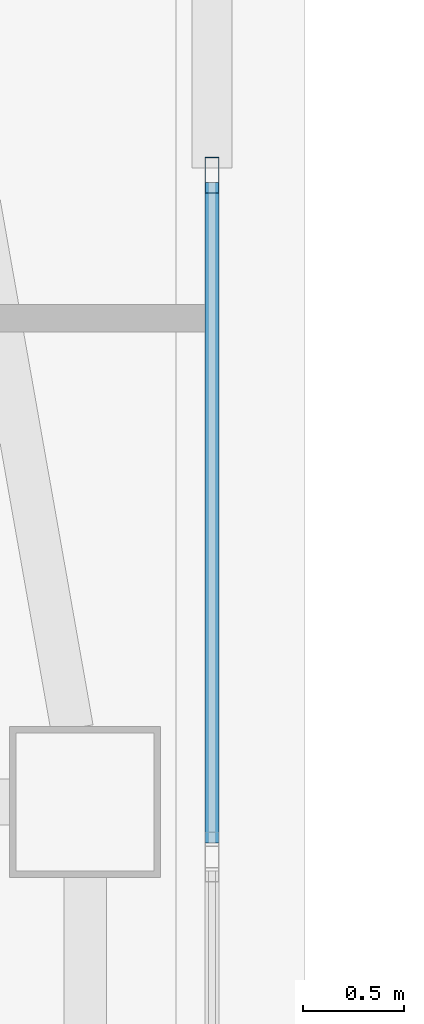
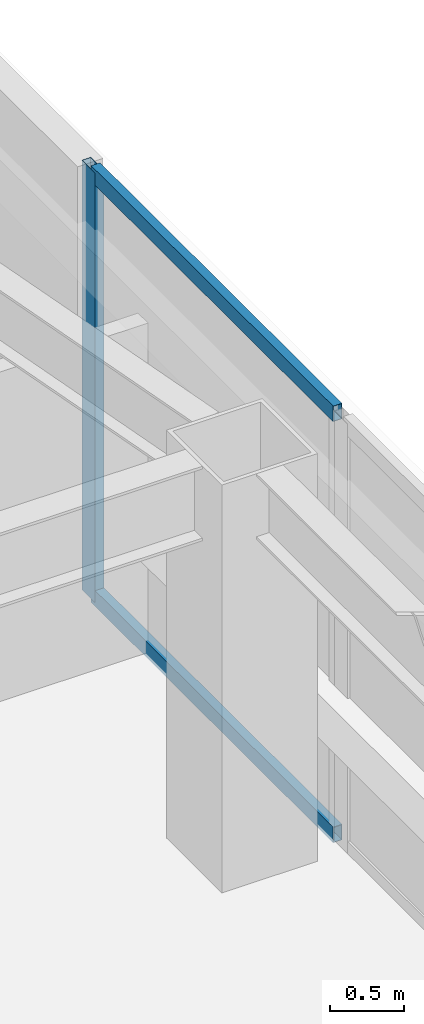
# One storey, part 12 of 46: 3 members, 1 element without a shape of its own.
"""IFC4 building model written with IfcOpenShell, lengths in metres."""

import ifcopenshell
import ifcopenshell.guid

model = None  # the IFC model being written
_history = None  # IfcOwnerHistory: only IFC2X3 demands one
_inside = {}  # id of a spatial element -> (the spatial element, [elements in it])
_under = {}  # id of a project, library or spatial element -> (it, [spatial elements below it])
_declared = {}  # id of a project -> (the project, [libraries it declares])
_typed = {}  # id of a type object -> (the type object, [elements of that type])
_made_of = {}  # id of a material, layer set ... -> (it, [elements and type objects made of it])


def new_model(schema):
    """Start an empty IFC model of exactly this schema.

    Asked for "IFC4X3", IfcOpenShell would pick the latest addendum, in which some entities
    have other attributes; the version numbers below select the first issue.
    IFC2X3 requires an IfcOwnerHistory on every rooted entity: one is made here for all.
    """
    global model, _history
    if schema == "IFC4X3":
        model = ifcopenshell.file(schema_version=(4, 3, 0, 0))
    else:
        model = ifcopenshell.file(schema=schema)
    _inside.clear()
    _under.clear()
    _declared.clear()
    _typed.clear()
    _made_of.clear()
    _history = None
    if model.schema == "IFC2X3":
        org = make("IfcOrganization", Name="unknown")
        user = make(
            "IfcPersonAndOrganization",
            ThePerson=make("IfcPerson", FamilyName="unknown"),
            TheOrganization=org,
        )
        app = make(
            "IfcApplication",
            ApplicationDeveloper=org,
            Version="unknown",
            ApplicationFullName="unknown",
            ApplicationIdentifier="unknown",
        )
        _history = make(
            "IfcOwnerHistory",
            OwningUser=user,
            OwningApplication=app,
            ChangeAction="ADDED",
            CreationDate=0,
        )
    return model


def make(cls, **values):
    """One entity of the class cls with the attributes given. An attribute that is None is left unset."""
    return model.create_entity(
        cls, **{name: value for name, value in values.items() if value is not None}
    )


def rooted(cls, **values):
    """An entity with a GlobalId (a new one), such as an element, a storey or a relation."""
    return make(cls, GlobalId=ifcopenshell.guid.new(), OwnerHistory=_history, **values)


def si_unit(unit_type, name, prefix=None):
    """IfcSIUnit, for example si_unit("LENGTHUNIT", "METRE", prefix="MILLI")."""
    return make("IfcSIUnit", UnitType=unit_type, Prefix=prefix, Name=name)


def assignment(units):
    """IfcUnitAssignment: the units of a project."""
    return None if units is None else make("IfcUnitAssignment", Units=units)


def point(xyz):
    """IfcCartesianPoint."""
    return None if xyz is None else make("IfcCartesianPoint", Coordinates=xyz)


def direction(xyz):
    """IfcDirection."""
    return None if xyz is None else make("IfcDirection", DirectionRatios=xyz)


def frame(location, z_axis=None, x_axis=None):
    """IfcAxis2Placement3D, a coordinate frame: its origin and axes. An axis left out is left unset."""
    return make(
        "IfcAxis2Placement3D",
        Location=point(location),
        Axis=direction(z_axis),
        RefDirection=direction(x_axis),
    )


def frame_2d(location, x_axis=None):
    """IfcAxis2Placement2D, a coordinate frame in the plane: its origin and x axis."""
    return make(
        "IfcAxis2Placement2D", Location=point(location), RefDirection=direction(x_axis)
    )


def origin():
    """The frame at (0, 0, 0) with its axes left unset."""
    return frame((0.0, 0.0, 0.0))


def origin_2d():
    """The frame at (0, 0) in the plane with its x axis left unset."""
    return frame_2d((0.0, 0.0))


def place(relative_to, where):
    """IfcLocalPlacement: puts the frame where relative to a parent placement (None: the world)."""
    return make(
        "IfcLocalPlacement", PlacementRelTo=relative_to, RelativePlacement=where
    )


def context(
    kind, dimensions, precision=None, world=None, true_north=None, identifier=None
):
    """IfcGeometricRepresentationContext, for example the 3D "Model" context."""
    return make(
        "IfcGeometricRepresentationContext",
        ContextIdentifier=identifier,
        ContextType=kind,
        CoordinateSpaceDimension=dimensions,
        Precision=precision,
        WorldCoordinateSystem=world,
        TrueNorth=true_north,
    )


def subcontext(parent, identifier, kind, view, scale=None):
    """IfcGeometricRepresentationSubContext, for example "Body" below "Model"."""
    return make(
        "IfcGeometricRepresentationSubContext",
        ContextIdentifier=identifier,
        ContextType=kind,
        ParentContext=parent,
        TargetScale=scale,
        TargetView=view,
    )


def project(units=None, contexts=None):
    """IfcProject with its units and contexts."""
    return rooted(
        "IfcProject",
        Name="project",
        RepresentationContexts=contexts,
        UnitsInContext=assignment(units),
    )


def spatial(cls, under=None, at=None, **own):
    """A site, building, storey or space (cls), placed at a placement, below another one or the project."""
    s = rooted(cls, ObjectPlacement=at, **own)
    if under is not None:
        _under.setdefault(under.id(), (under, []))[1].append(s)
    return s


def profile(cls, at=None, kind="AREA", **sizes):
    """A parametric profile (cls). Its sizes go by their IFC names, for example OverallWidth=200.0."""
    return make(cls, ProfileType=kind, Position=at, **sizes)


def hollow_rectangle(**sizes):
    """IfcRectangleHollowProfileDef."""
    return profile("IfcRectangleHollowProfileDef", **sizes)


def extrude(swept, where, along, depth):
    """IfcExtrudedAreaSolid: the profile swept, set in the frame where, extruded along a direction by depth."""
    return make(
        "IfcExtrudedAreaSolid",
        SweptArea=swept,
        Position=where,
        ExtrudedDirection=direction(along),
        Depth=depth,
    )


def shape(context_of_items, identifier, shape_type, items):
    """IfcShapeRepresentation: the items that make up one representation, for example the "Body"."""
    return make(
        "IfcShapeRepresentation",
        ContextOfItems=context_of_items,
        RepresentationIdentifier=identifier,
        RepresentationType=shape_type,
        Items=items,
    )


def material(Name=None, Category=None):
    """IfcMaterial."""
    return make("IfcMaterial", Name=Name, Category=Category)


def material_profile(
    of_material, cross_section, Name=None, Category=None, Priority=None
):
    """IfcMaterialProfile: a cross section and its material."""
    return make(
        "IfcMaterialProfile",
        Name=Name,
        Material=of_material,
        Profile=cross_section,
        Priority=Priority,
        Category=Category,
    )


def profile_set(profiles, Name=None, composite=None):
    """IfcMaterialProfileSet."""
    return make(
        "IfcMaterialProfileSet",
        Name=Name,
        MaterialProfiles=profiles,
        CompositeProfile=composite,
    )


def made_of(thing, what):
    """Note that an element or type object is made of a material, layer set ...; save() writes the relation."""
    if what is not None:
        _made_of.setdefault(what.id(), (what, []))[1].append(thing)
    return thing


def type_object(cls, material=None, **own):
    """A type object (cls), such as IfcWallType, which elements share."""
    return made_of(rooted(cls, **own), material)


def element(
    cls,
    number,
    at=None,
    inside=None,
    cuts=None,
    type_object=None,
    material=None,
    context=None,
    identifier="Body",
    shape_type=None,
    held_by="IfcProductDefinitionShape",
    body=None,
    shapes=None,
    **own,
):
    """One element of the class cls, such as IfcWall. Its Tag is "e" and its number.

    at: its placement. inside: the storey or other place that contains it. cuts: it is an
    opening in that element (IfcRelVoidsElement). A single representation is given by context,
    identifier, shape_type and body (its items); several are given by shapes. held_by: the class
    of the entity that holds the representations. save() writes the other relations.
    """
    e = rooted(cls, Tag="e%d" % number, ObjectPlacement=at, **own)
    if body is not None:
        shapes = [shape(context, identifier, shape_type, body)]
    if shapes is not None:
        e.Representation = make(held_by, Representations=shapes)
    if inside is not None:
        _inside.setdefault(inside.id(), (inside, []))[1].append(e)
    if cuts is not None:
        rooted(
            "IfcRelVoidsElement", RelatingBuildingElement=cuts, RelatedOpeningElement=e
        )
    if type_object is not None:
        _typed.setdefault(type_object.id(), (type_object, []))[1].append(e)
    return made_of(e, material)


def aggregate(whole, parts):
    """IfcRelAggregates: a whole, such as a stair, and the parts it consists of."""
    return rooted("IfcRelAggregates", RelatingObject=whole, RelatedObjects=parts)


def save(model, path):
    """Write the relations noted so far, then the file.

    IfcRelAggregates (storeys below a building ...), IfcRelContainedInSpatialStructure (elements
    in a storey), IfcRelDefinesByType, IfcRelAssociatesMaterial and IfcRelDeclares: one each for
    every whole, place, type object, material and project.
    """
    for whole, parts in _under.values():
        aggregate(whole, parts)
    for where, things in _inside.values():
        rooted(
            "IfcRelContainedInSpatialStructure",
            RelatedElements=things,
            RelatingStructure=where,
        )
    for kind, things in _typed.values():
        rooted("IfcRelDefinesByType", RelatedObjects=things, RelatingType=kind)
    for what, things in _made_of.values():
        rooted("IfcRelAssociatesMaterial", RelatedObjects=things, RelatingMaterial=what)
    for by, libraries in _declared.values():
        rooted("IfcRelDeclares", RelatingContext=by, RelatedDefinitions=libraries)
    model.write(path)


model = new_model("IFC4")

# Units and contexts
model_context = context("Model", 3, precision=1e-05, world=origin(), true_north=direction((0.0, 1.0)))
body_context = subcontext(model_context, "Body", "Model", "MODEL_VIEW")
ifc_project = project(units=[si_unit("LENGTHUNIT", "METRE"), si_unit("AREAUNIT", "SQUARE_METRE"), si_unit("VOLUMEUNIT", "CUBIC_METRE"), si_unit("PLANEANGLEUNIT", "RADIAN"), si_unit("MASSUNIT", "GRAM", prefix="KILO")], contexts=[model_context])

# Site, building, storey
site_placement = place(None, origin())
site = spatial("IfcSite", under=ifc_project, at=site_placement, CompositionType="ELEMENT")
building_placement = place(site_placement, origin())
building = spatial("IfcBuilding", under=site, at=building_placement, Name="Tashvorn Skyway Center", CompositionType="ELEMENT")
storey_placement = place(building_placement, frame((0.0, 0.0, 167.64990234375)))
storey = spatial("IfcBuildingStorey", under=building, at=storey_placement, Name="L45", CompositionType="ELEMENT", Elevation=167.64990234375)

# Curtain wall, members
ifc_material = material(Name="Thermally broken bronze-anodized aluminium 6063-T6", Category="aluminium")
curtain_wall_type = type_object("IfcCurtainWallType", Name="CW-CW-Z4", PredefinedType="NOTDEFINED", material=ifc_material)
curtain_wall_placement = place(storey_placement, origin())
curtain_wall = element("IfcCurtainWall", 1, at=curtain_wall_placement, inside=storey, type_object=curtain_wall_type, Name="Tower 1 L45 East Unitised Curtain Wall Glazing Group 2", PredefinedType="NOTDEFINED")
ifc_material_profile_1 = material_profile(ifc_material, hollow_rectangle(XDim=0.070068359375, YDim=0.179931640625, WallThickness=0.00390625, at=origin_2d()), Name="ALU-MULL-70x180")
ifc_profile_set_1 = profile_set([ifc_material_profile_1], Name="Thermally broken bronze-anodized aluminium 6063-T6")
member_type_1 = type_object("IfcMemberType", Name="CWM-CW-Z4", PredefinedType="MULLION", material=ifc_profile_set_1)
member_1_placement = place(storey_placement, frame((59.679931640625, 40.509521484375, 0.0), z_axis=(0.0, 0.0, 1.0), x_axis=(1.0, 0.0, 0.0)))
member_1 = element("IfcMember", 2, at=member_1_placement, type_object=member_type_1, Name="CW-Z4 mullion 1", PredefinedType="MULLION", context=body_context, shape_type="SweptSolid", body=[
    extrude(hollow_rectangle(XDim=0.070068359375, YDim=0.179931640625, WallThickness=0.00390625, at=origin_2d()), origin(), (0.0, 0.0, 1.0), 3.550048828125),
])
ifc_material_profile_2 = material_profile(ifc_material, hollow_rectangle(XDim=0.070068359375, YDim=0.1298828125, WallThickness=0.00390625, at=origin_2d()), Name="ALU-TRAN-70x130")
ifc_profile_set_2 = profile_set([ifc_material_profile_2], Name="Thermally broken bronze-anodized aluminium 6063-T6")
member_type_2 = type_object("IfcMemberType", Name="CWT-CW-Z4", PredefinedType="USERDEFINED", material=ifc_profile_set_2)
member_2_placement = place(storey_placement, frame((59.679931640625, 40.474365234375, 0.03515625), z_axis=(0.0, -1.0, 0.0), x_axis=(1.0, 0.0, 0.0)))
member_2 = element("IfcMember", 3, at=member_2_placement, type_object=member_type_2, Name="CW-Z4 transom 1.1", ObjectType="TRANSOM", PredefinedType="USERDEFINED", context=body_context, shape_type="SweptSolid", body=[
    extrude(hollow_rectangle(XDim=0.070068359375, YDim=0.1298828125, WallThickness=0.00390625, at=origin_2d()), origin(), (0.0, 0.0, 1.0), 3.277587890625),
])
member_3_placement = place(storey_placement, frame((59.679931640625, 40.474365234375, 3.51513671875), z_axis=(0.0, -1.0, 0.0), x_axis=(1.0, 0.0, 0.0)))
member_3 = element("IfcMember", 4, at=member_3_placement, type_object=member_type_2, Name="CW-Z4 transom 1.2", ObjectType="TRANSOM", PredefinedType="USERDEFINED", context=body_context, shape_type="SweptSolid", body=[
    extrude(hollow_rectangle(XDim=0.070068359375, YDim=0.1298828125, WallThickness=0.00390625, at=origin_2d()), origin(), (0.0, 0.0, 1.0), 3.277587890625),
])
aggregate(curtain_wall, [member_1, member_2, member_3])

save(model, "model.ifc")
